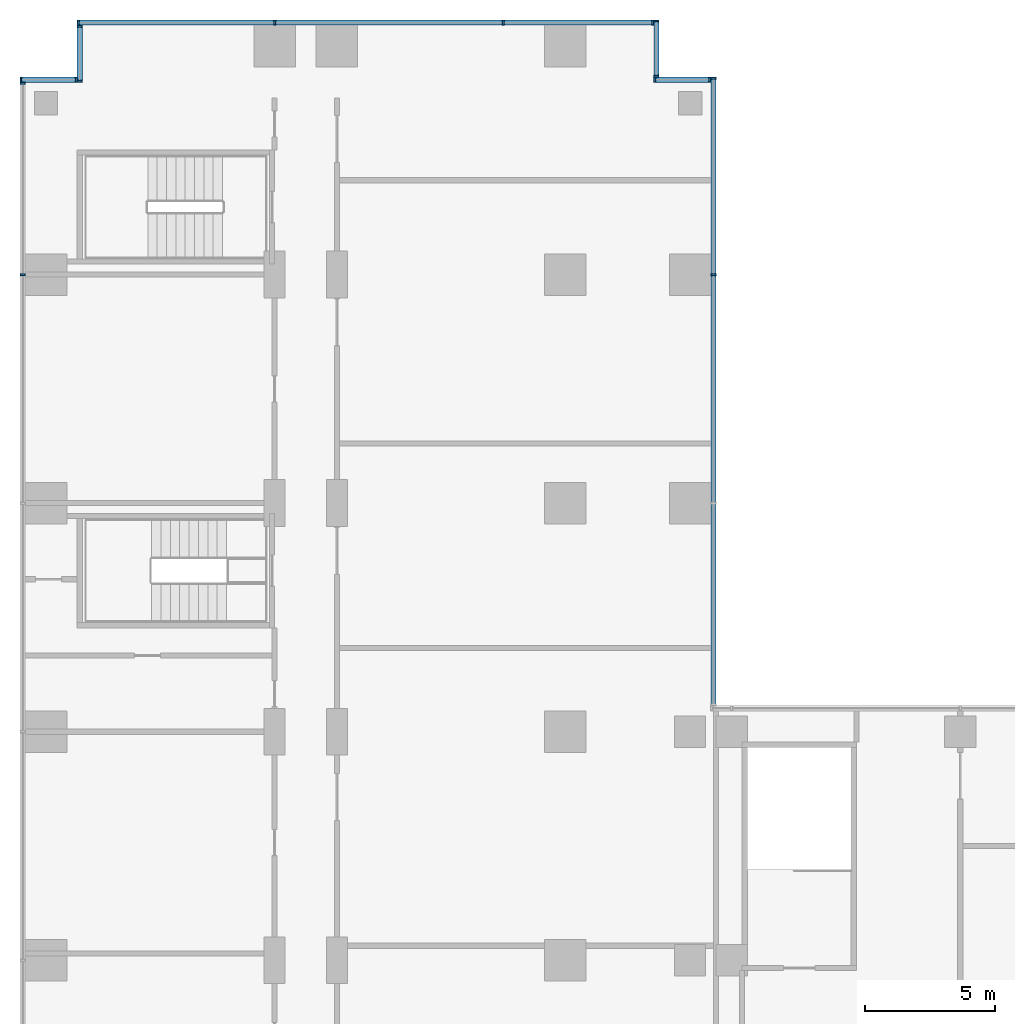
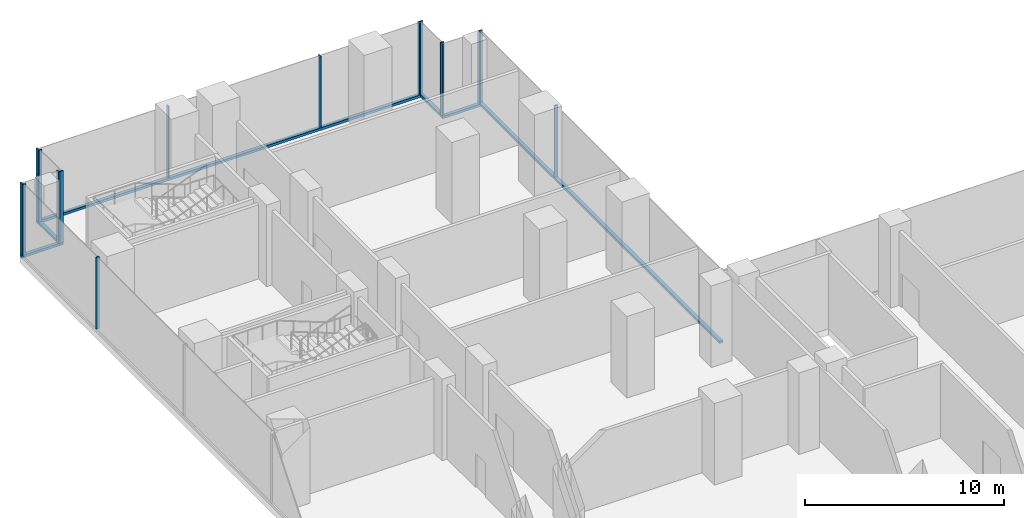
# One storey, part 11 of 27: 22 members, 7 elements without a shape of their own.
"""IFC4 building model written with IfcOpenShell, lengths in metres."""

import ifcopenshell
import ifcopenshell.guid

model = None  # the IFC model being written
_history = None  # IfcOwnerHistory: only IFC2X3 demands one
_inside = {}  # id of a spatial element -> (the spatial element, [elements in it])
_under = {}  # id of a project, library or spatial element -> (it, [spatial elements below it])
_declared = {}  # id of a project -> (the project, [libraries it declares])
_typed = {}  # id of a type object -> (the type object, [elements of that type])
_made_of = {}  # id of a material, layer set ... -> (it, [elements and type objects made of it])


def new_model(schema):
    """Start an empty IFC model of exactly this schema.

    Asked for "IFC4X3", IfcOpenShell would pick the latest addendum, in which some entities
    have other attributes; the version numbers below select the first issue.
    IFC2X3 requires an IfcOwnerHistory on every rooted entity: one is made here for all.
    """
    global model, _history
    if schema == "IFC4X3":
        model = ifcopenshell.file(schema_version=(4, 3, 0, 0))
    else:
        model = ifcopenshell.file(schema=schema)
    _inside.clear()
    _under.clear()
    _declared.clear()
    _typed.clear()
    _made_of.clear()
    _history = None
    if model.schema == "IFC2X3":
        org = make("IfcOrganization", Name="unknown")
        user = make(
            "IfcPersonAndOrganization",
            ThePerson=make("IfcPerson", FamilyName="unknown"),
            TheOrganization=org,
        )
        app = make(
            "IfcApplication",
            ApplicationDeveloper=org,
            Version="unknown",
            ApplicationFullName="unknown",
            ApplicationIdentifier="unknown",
        )
        _history = make(
            "IfcOwnerHistory",
            OwningUser=user,
            OwningApplication=app,
            ChangeAction="ADDED",
            CreationDate=0,
        )
    return model


def make(cls, **values):
    """One entity of the class cls with the attributes given. An attribute that is None is left unset."""
    return model.create_entity(
        cls, **{name: value for name, value in values.items() if value is not None}
    )


def rooted(cls, **values):
    """An entity with a GlobalId (a new one), such as an element, a storey or a relation."""
    return make(cls, GlobalId=ifcopenshell.guid.new(), OwnerHistory=_history, **values)


def si_unit(unit_type, name, prefix=None):
    """IfcSIUnit, for example si_unit("LENGTHUNIT", "METRE", prefix="MILLI")."""
    return make("IfcSIUnit", UnitType=unit_type, Prefix=prefix, Name=name)


def assignment(units):
    """IfcUnitAssignment: the units of a project."""
    return None if units is None else make("IfcUnitAssignment", Units=units)


def point(xyz):
    """IfcCartesianPoint."""
    return None if xyz is None else make("IfcCartesianPoint", Coordinates=xyz)


def direction(xyz):
    """IfcDirection."""
    return None if xyz is None else make("IfcDirection", DirectionRatios=xyz)


def frame(location, z_axis=None, x_axis=None):
    """IfcAxis2Placement3D, a coordinate frame: its origin and axes. An axis left out is left unset."""
    return make(
        "IfcAxis2Placement3D",
        Location=point(location),
        Axis=direction(z_axis),
        RefDirection=direction(x_axis),
    )


def frame_2d(location, x_axis=None):
    """IfcAxis2Placement2D, a coordinate frame in the plane: its origin and x axis."""
    return make(
        "IfcAxis2Placement2D", Location=point(location), RefDirection=direction(x_axis)
    )


def origin():
    """The frame at (0, 0, 0) with its axes left unset."""
    return frame((0.0, 0.0, 0.0))


def origin_2d():
    """The frame at (0, 0) in the plane with its x axis left unset."""
    return frame_2d((0.0, 0.0))


def place(relative_to, where):
    """IfcLocalPlacement: puts the frame where relative to a parent placement (None: the world)."""
    return make(
        "IfcLocalPlacement", PlacementRelTo=relative_to, RelativePlacement=where
    )


def context(
    kind, dimensions, precision=None, world=None, true_north=None, identifier=None
):
    """IfcGeometricRepresentationContext, for example the 3D "Model" context."""
    return make(
        "IfcGeometricRepresentationContext",
        ContextIdentifier=identifier,
        ContextType=kind,
        CoordinateSpaceDimension=dimensions,
        Precision=precision,
        WorldCoordinateSystem=world,
        TrueNorth=true_north,
    )


def subcontext(parent, identifier, kind, view, scale=None):
    """IfcGeometricRepresentationSubContext, for example "Body" below "Model"."""
    return make(
        "IfcGeometricRepresentationSubContext",
        ContextIdentifier=identifier,
        ContextType=kind,
        ParentContext=parent,
        TargetScale=scale,
        TargetView=view,
    )


def project(units=None, contexts=None):
    """IfcProject with its units and contexts."""
    return rooted(
        "IfcProject",
        Name="project",
        RepresentationContexts=contexts,
        UnitsInContext=assignment(units),
    )


def spatial(cls, under=None, at=None, **own):
    """A site, building, storey or space (cls), placed at a placement, below another one or the project."""
    s = rooted(cls, ObjectPlacement=at, **own)
    if under is not None:
        _under.setdefault(under.id(), (under, []))[1].append(s)
    return s


def profile(cls, at=None, kind="AREA", **sizes):
    """A parametric profile (cls). Its sizes go by their IFC names, for example OverallWidth=200.0."""
    return make(cls, ProfileType=kind, Position=at, **sizes)


def rectangle(**sizes):
    """IfcRectangleProfileDef."""
    return profile("IfcRectangleProfileDef", **sizes)


def extrude(swept, where, along, depth):
    """IfcExtrudedAreaSolid: the profile swept, set in the frame where, extruded along a direction by depth."""
    return make(
        "IfcExtrudedAreaSolid",
        SweptArea=swept,
        Position=where,
        ExtrudedDirection=direction(along),
        Depth=depth,
    )


def shape(context_of_items, identifier, shape_type, items):
    """IfcShapeRepresentation: the items that make up one representation, for example the "Body"."""
    return make(
        "IfcShapeRepresentation",
        ContextOfItems=context_of_items,
        RepresentationIdentifier=identifier,
        RepresentationType=shape_type,
        Items=items,
    )


def source(mapping_origin, context_of_items, identifier, shape_type, items):
    """IfcRepresentationMap: a shape defined once, which mapped items show again and again."""
    return make(
        "IfcRepresentationMap",
        MappingOrigin=mapping_origin,
        MappedRepresentation=shape(context_of_items, identifier, shape_type, items),
    )


def transform(
    local_origin,
    x_axis=None,
    y_axis=None,
    z_axis=None,
    scale=None,
    scale2=None,
    scale3=None,
    uniform=True,
):
    """IfcCartesianTransformationOperator3D, or its non-uniform kind. x_axis, y_axis, z_axis: its Axis1, 2, 3."""
    if uniform:
        return make(
            "IfcCartesianTransformationOperator3D",
            Axis1=direction(x_axis),
            Axis2=direction(y_axis),
            LocalOrigin=point(local_origin),
            Scale=scale,
            Axis3=direction(z_axis),
        )
    return make(
        "IfcCartesianTransformationOperator3DnonUniform",
        Axis1=direction(x_axis),
        Axis2=direction(y_axis),
        LocalOrigin=point(local_origin),
        Scale=scale,
        Axis3=direction(z_axis),
        Scale2=scale2,
        Scale3=scale3,
    )


def mapped(mapping_source, mapping_target):
    """IfcMappedItem: shows the shape of a source again, moved by a transform."""
    return make(
        "IfcMappedItem", MappingSource=mapping_source, MappingTarget=mapping_target
    )


def material(Name=None, Category=None):
    """IfcMaterial."""
    return make("IfcMaterial", Name=Name, Category=Category)


def material_profile(
    of_material, cross_section, Name=None, Category=None, Priority=None
):
    """IfcMaterialProfile: a cross section and its material."""
    return make(
        "IfcMaterialProfile",
        Name=Name,
        Material=of_material,
        Profile=cross_section,
        Priority=Priority,
        Category=Category,
    )


def profile_set(profiles, Name=None, composite=None):
    """IfcMaterialProfileSet."""
    return make(
        "IfcMaterialProfileSet",
        Name=Name,
        MaterialProfiles=profiles,
        CompositeProfile=composite,
    )


def made_of(thing, what):
    """Note that an element or type object is made of a material, layer set ...; save() writes the relation."""
    if what is not None:
        _made_of.setdefault(what.id(), (what, []))[1].append(thing)
    return thing


def type_object(cls, material=None, **own):
    """A type object (cls), such as IfcWallType, which elements share."""
    return made_of(rooted(cls, **own), material)


def element(
    cls,
    number,
    at=None,
    inside=None,
    cuts=None,
    type_object=None,
    material=None,
    context=None,
    identifier="Body",
    shape_type=None,
    held_by="IfcProductDefinitionShape",
    body=None,
    shapes=None,
    **own,
):
    """One element of the class cls, such as IfcWall. Its Tag is "e" and its number.

    at: its placement. inside: the storey or other place that contains it. cuts: it is an
    opening in that element (IfcRelVoidsElement). A single representation is given by context,
    identifier, shape_type and body (its items); several are given by shapes. held_by: the class
    of the entity that holds the representations. save() writes the other relations.
    """
    e = rooted(cls, Tag="e%d" % number, ObjectPlacement=at, **own)
    if body is not None:
        shapes = [shape(context, identifier, shape_type, body)]
    if shapes is not None:
        e.Representation = make(held_by, Representations=shapes)
    if inside is not None:
        _inside.setdefault(inside.id(), (inside, []))[1].append(e)
    if cuts is not None:
        rooted(
            "IfcRelVoidsElement", RelatingBuildingElement=cuts, RelatedOpeningElement=e
        )
    if type_object is not None:
        _typed.setdefault(type_object.id(), (type_object, []))[1].append(e)
    return made_of(e, material)


def aggregate(whole, parts):
    """IfcRelAggregates: a whole, such as a stair, and the parts it consists of."""
    return rooted("IfcRelAggregates", RelatingObject=whole, RelatedObjects=parts)


def save(model, path):
    """Write the relations noted so far, then the file.

    IfcRelAggregates (storeys below a building ...), IfcRelContainedInSpatialStructure (elements
    in a storey), IfcRelDefinesByType, IfcRelAssociatesMaterial and IfcRelDeclares: one each for
    every whole, place, type object, material and project.
    """
    for whole, parts in _under.values():
        aggregate(whole, parts)
    for where, things in _inside.values():
        rooted(
            "IfcRelContainedInSpatialStructure",
            RelatedElements=things,
            RelatingStructure=where,
        )
    for kind, things in _typed.values():
        rooted("IfcRelDefinesByType", RelatedObjects=things, RelatingType=kind)
    for what, things in _made_of.values():
        rooted("IfcRelAssociatesMaterial", RelatedObjects=things, RelatingMaterial=what)
    for by, libraries in _declared.values():
        rooted("IfcRelDeclares", RelatingContext=by, RelatedDefinitions=libraries)
    model.write(path)


model = new_model("IFC4")

# Units and contexts
model_context = context("Model", 3, precision=1e-05, world=origin(), true_north=direction((0.0, 1.0)))
body_context = subcontext(model_context, "Body", "Model", "MODEL_VIEW")
ifc_project = project(units=[si_unit("LENGTHUNIT", "METRE"), si_unit("AREAUNIT", "SQUARE_METRE"), si_unit("VOLUMEUNIT", "CUBIC_METRE"), si_unit("PLANEANGLEUNIT", "RADIAN"), si_unit("MASSUNIT", "GRAM", prefix="KILO")], contexts=[model_context])

# Site, building, storey
site_placement = place(None, origin())
site = spatial("IfcSite", under=ifc_project, at=site_placement, CompositionType="ELEMENT")
building_placement = place(site_placement, origin())
building = spatial("IfcBuilding", under=site, at=building_placement, Name="Kemantara Hotel Tower", CompositionType="ELEMENT")
storey_placement = place(building_placement, frame((0.0, 0.0, 29.0)))
storey = spatial("IfcBuildingStorey", under=building, at=storey_placement, Name="L05", CompositionType="ELEMENT", Elevation=29.0)

# Curtain wall, member
ifc_material_1 = material(Name="Laminated tinted insulated glass 44 mm", Category="glass")
curtain_wall_type = type_object("IfcCurtainWallType", Name="PODIUM GLASS CURTAIN WALL", PredefinedType="USERDEFINED", material=ifc_material_1)
curtain_wall_1_placement = place(storey_placement, origin())
curtain_wall_1 = element("IfcCurtainWall", 1, at=curtain_wall_1_placement, inside=storey, type_object=curtain_wall_type, Name="CW1 L05 POD-R10-1", ObjectType="PODIUM GLASS CURTAIN WALL", PredefinedType="USERDEFINED")
ifc_material_2 = material(Name="Aluminium 6063-T6 bronze anodised", Category="aluminium")
ifc_material_profile_1 = material_profile(ifc_material_2, rectangle(XDim=0.199951171875, YDim=0.14990234375, at=origin_2d()), Name="PODIUM GLASS CURTAIN WALL TRANSOM")
ifc_profile_set_1 = profile_set([ifc_material_profile_1], Name="Aluminium 6063-T6 bronze anodised")
member_type_1 = type_object("IfcMemberType", Name="PODIUM GLASS CURTAIN WALL TRANSOM", PredefinedType="USERDEFINED", material=ifc_profile_set_1)
member_1_placement = place(storey_placement, frame((26.699951171875, 54.800048828125, 0.074951171875), z_axis=(0.0, 1.0, 0.0), x_axis=(-1.0, 0.0, 0.0)))
member_1 = element("IfcMember", 2, at=member_1_placement, type_object=member_type_1, Name="CW1 sill transom POD-R10-1", ObjectType="TRANSOM", PredefinedType="USERDEFINED", context=body_context, shape_type="SweptSolid", body=[
    extrude(rectangle(XDim=0.199951171875, YDim=0.14990234375, at=origin_2d()), origin(), (0.0, 0.0, 1.0), 24.199951171875),
])

curtain_wall_2_placement = place(storey_placement, origin())
curtain_wall_2 = element("IfcCurtainWall", 3, at=curtain_wall_2_placement, inside=storey, type_object=curtain_wall_type, Name="CW1 L05 POD-R13-1", ObjectType="PODIUM GLASS CURTAIN WALL", PredefinedType="USERDEFINED")
member_2_placement = place(storey_placement, frame((24.39990234375, 81.10009765625, 0.074951171875), z_axis=(-1.0, 0.0, 0.0), x_axis=(0.0, -1.0, 0.0)))
member_2 = element("IfcMember", 4, at=member_2_placement, type_object=member_type_1, Name="CW1 sill transom POD-R13-1", ObjectType="TRANSOM", PredefinedType="USERDEFINED", context=body_context, shape_type="SweptSolid", body=[
    extrude(rectangle(XDim=0.199951171875, YDim=0.14990234375, at=origin_2d()), origin(), (0.0, 0.0, 1.0), 22.199951171875),
])

curtain_wall_3_placement = place(storey_placement, origin())
curtain_wall_3 = element("IfcCurtainWall", 5, at=curtain_wall_3_placement, inside=storey, type_object=curtain_wall_type, Name="CW1 L05 POD-R11-1", ObjectType="PODIUM GLASS CURTAIN WALL", PredefinedType="USERDEFINED")
member_3_placement = place(storey_placement, frame((26.60009765625, 78.89990234375, 0.074951171875), z_axis=(-1.0, 0.0, 0.0), x_axis=(0.0, -1.0, 0.0)))
member_3 = element("IfcMember", 6, at=member_3_placement, type_object=member_type_1, Name="CW1 sill transom POD-R11-1", ObjectType="TRANSOM", PredefinedType="USERDEFINED", context=body_context, shape_type="SweptSolid", body=[
    extrude(rectangle(XDim=0.199951171875, YDim=0.14990234375, at=origin_2d()), origin(), (0.0, 0.0, 1.0), 2.2001953125),
])

curtain_wall_4_placement = place(storey_placement, origin())
curtain_wall_4 = element("IfcCurtainWall", 7, at=curtain_wall_4_placement, inside=storey, type_object=curtain_wall_type, Name="CW1 L05 POD-R12-1", ObjectType="PODIUM GLASS CURTAIN WALL", PredefinedType="USERDEFINED")
member_4_placement = place(storey_placement, frame((24.5, 79.0, 0.074951171875), z_axis=(0.0, 1.0, 0.0), x_axis=(-1.0, 0.0, 0.0)))
member_4 = element("IfcMember", 8, at=member_4_placement, type_object=member_type_1, Name="CW1 sill transom POD-R12-1", ObjectType="TRANSOM", PredefinedType="USERDEFINED", context=body_context, shape_type="SweptSolid", body=[
    extrude(rectangle(XDim=0.199951171875, YDim=0.14990234375, at=origin_2d()), origin(), (0.0, 0.0, 1.0), 2.199951171875),
])

curtain_wall_5_placement = place(storey_placement, origin())
curtain_wall_5 = element("IfcCurtainWall", 9, at=curtain_wall_5_placement, inside=storey, type_object=curtain_wall_type, Name="CW1 L05 POD-R14-1", ObjectType="PODIUM GLASS CURTAIN WALL", PredefinedType="USERDEFINED")
member_5_placement = place(storey_placement, frame((2.300048828125, 81.0, 0.074951171875), z_axis=(0.0, -1.0, 0.0), x_axis=(1.0, 0.0, 0.0)))
member_5 = element("IfcMember", 10, at=member_5_placement, type_object=member_type_1, Name="CW1 sill transom POD-R14-1", ObjectType="TRANSOM", PredefinedType="USERDEFINED", context=body_context, shape_type="SweptSolid", body=[
    extrude(rectangle(XDim=0.199951171875, YDim=0.14990234375, at=origin_2d()), origin(), (0.0, 0.0, 1.0), 2.199951171875),
])

curtain_wall_6_placement = place(storey_placement, origin())
curtain_wall_6 = element("IfcCurtainWall", 11, at=curtain_wall_6_placement, inside=storey, type_object=curtain_wall_type, Name="CW1 L05 POD-R15-1", ObjectType="PODIUM GLASS CURTAIN WALL", PredefinedType="USERDEFINED")
member_6_placement = place(storey_placement, frame((2.199951171875, 78.89990234375, 0.074951171875), z_axis=(-1.0, 0.0, 0.0), x_axis=(0.0, -1.0, 0.0)))
member_6 = element("IfcMember", 12, at=member_6_placement, type_object=member_type_1, Name="CW1 sill transom POD-R15-1", ObjectType="TRANSOM", PredefinedType="USERDEFINED", context=body_context, shape_type="SweptSolid", body=[
    extrude(rectangle(XDim=0.199951171875, YDim=0.14990234375, at=origin_2d()), origin(), (0.0, 0.0, 1.0), 2.199951171875),
])

# Member
ifc_material_profile_2 = material_profile(ifc_material_2, rectangle(XDim=0.199951171875, YDim=0.074951171875, at=origin_2d()), Name="PODIUM GLASS CURTAIN WALL MULLION")
ifc_profile_set_2 = profile_set([ifc_material_profile_2], Name="Aluminium 6063-T6 bronze anodised")
member_type_2 = type_object("IfcMemberType", Name="PODIUM GLASS CURTAIN WALL MULLION", PredefinedType="MULLION", material=ifc_profile_set_2)
shared_shape = source(origin(), body_context, "Body", "SweptSolid", [
    extrude(rectangle(XDim=0.199951171875, YDim=0.074951171875, at=origin_2d()), origin(), (0.0, 0.0, 1.0), 4.400146484375),
])
member_7_placement = place(storey_placement, frame((26.699951171875, 71.39990234375, 0.14990234375), z_axis=(0.0, 0.0, 1.0), x_axis=(-1.0, 0.0, 0.0)))
member_7 = element("IfcMember", 13, at=member_7_placement, type_object=member_type_2, Name="CW1 mullion POD-R10-1.3", PredefinedType="MULLION", context=body_context, shape_type="MappedRepresentation", body=[
    mapped(shared_shape, transform((0.0, 0.0, 0.0))),
])

member_8_placement = place(storey_placement, frame((26.699951171875, 78.96240234375, 0.14990234375), z_axis=(0.0, 0.0, 1.0), x_axis=(-1.0, 0.0, 0.0)))
member_8 = element("IfcMember", 14, at=member_8_placement, type_object=member_type_2, Name="CW1 mullion POD-R10-1.4", PredefinedType="MULLION", context=body_context, shape_type="MappedRepresentation", body=[
    mapped(shared_shape, transform((0.0, 0.0, 0.0))),
])

aggregate(curtain_wall_1, [member_1, member_7, member_8])

member_9_placement = place(storey_placement, frame((24.362548828125, 81.10009765625, 0.14990234375), z_axis=(0.0, 0.0, 1.0), x_axis=(0.0, -1.0, 0.0)))
member_9 = element("IfcMember", 15, at=member_9_placement, type_object=member_type_2, Name="CW1 mullion POD-R13-1.1", PredefinedType="MULLION", context=body_context, shape_type="MappedRepresentation", body=[
    mapped(shared_shape, transform((0.0, 0.0, 0.0))),
])

member_10_placement = place(storey_placement, frame((18.60009765625, 81.10009765625, 0.14990234375), z_axis=(0.0, 0.0, 1.0), x_axis=(0.0, -1.0, 0.0)))
member_10 = element("IfcMember", 16, at=member_10_placement, type_object=member_type_2, Name="CW1 mullion POD-R13-1.2", PredefinedType="MULLION", context=body_context, shape_type="MappedRepresentation", body=[
    mapped(shared_shape, transform((0.0, 0.0, 0.0))),
])

member_11_placement = place(storey_placement, frame((9.800048828125, 81.10009765625, 0.14990234375), z_axis=(0.0, 0.0, 1.0), x_axis=(0.0, -1.0, 0.0)))
member_11 = element("IfcMember", 17, at=member_11_placement, type_object=member_type_2, Name="CW1 mullion POD-R13-1.3", PredefinedType="MULLION", context=body_context, shape_type="MappedRepresentation", body=[
    mapped(shared_shape, transform((0.0, 0.0, 0.0))),
])

member_12_placement = place(storey_placement, frame((2.237548828125, 81.10009765625, 0.14990234375), z_axis=(0.0, 0.0, 1.0), x_axis=(0.0, -1.0, 0.0)))
member_12 = element("IfcMember", 18, at=member_12_placement, type_object=member_type_2, Name="CW1 mullion POD-R13-1.4", PredefinedType="MULLION", context=body_context, shape_type="MappedRepresentation", body=[
    mapped(shared_shape, transform((0.0, 0.0, 0.0))),
])

aggregate(curtain_wall_2, [member_2, member_9, member_10, member_11, member_12])

# Curtain wall, members
curtain_wall_7_placement = place(storey_placement, origin())
curtain_wall_7 = element("IfcCurtainWall", 19, at=curtain_wall_7_placement, inside=storey, type_object=curtain_wall_type, Name="CW1 L05 POD-R16-1", ObjectType="PODIUM GLASS CURTAIN WALL", PredefinedType="USERDEFINED")
member_13_placement = place(storey_placement, frame((0.10009765625, 78.762451171875, 0.14990234375), z_axis=(0.0, 0.0, 1.0), x_axis=(1.0, 0.0, 0.0)))
member_13 = element("IfcMember", 20, at=member_13_placement, type_object=member_type_2, Name="CW1 mullion POD-R16-1.1", PredefinedType="MULLION", context=body_context, shape_type="MappedRepresentation", body=[
    mapped(shared_shape, transform((0.0, 0.0, 0.0))),
])
member_14_placement = place(storey_placement, frame((0.10009765625, 71.39990234375, 0.14990234375), z_axis=(0.0, 0.0, 1.0), x_axis=(1.0, 0.0, 0.0)))
member_14 = element("IfcMember", 21, at=member_14_placement, type_object=member_type_2, Name="CW1 mullion POD-R16-1.2", PredefinedType="MULLION", context=body_context, shape_type="MappedRepresentation", body=[
    mapped(shared_shape, transform((0.0, 0.0, 0.0))),
])
aggregate(curtain_wall_7, [member_13, member_14])

# Member
member_15_placement = place(storey_placement, frame((26.5625, 78.89990234375, 0.14990234375), z_axis=(0.0, 0.0, 1.0), x_axis=(0.0, -1.0, 0.0)))
member_15 = element("IfcMember", 22, at=member_15_placement, type_object=member_type_2, Name="CW1 mullion POD-R11-1.1", PredefinedType="MULLION", context=body_context, shape_type="MappedRepresentation", body=[
    mapped(shared_shape, transform((0.0, 0.0, 0.0))),
])

member_16_placement = place(storey_placement, frame((24.4375, 78.89990234375, 0.14990234375), z_axis=(0.0, 0.0, 1.0), x_axis=(0.0, -1.0, 0.0)))
member_16 = element("IfcMember", 23, at=member_16_placement, type_object=member_type_2, Name="CW1 mullion POD-R11-1.2", PredefinedType="MULLION", context=body_context, shape_type="MappedRepresentation", body=[
    mapped(shared_shape, transform((0.0, 0.0, 0.0))),
])

aggregate(curtain_wall_3, [member_3, member_15, member_16])

member_17_placement = place(storey_placement, frame((24.5, 79.03759765625, 0.14990234375), z_axis=(0.0, 0.0, 1.0), x_axis=(-1.0, 0.0, 0.0)))
member_17 = element("IfcMember", 24, at=member_17_placement, type_object=member_type_2, Name="CW1 mullion POD-R12-1.1", PredefinedType="MULLION", context=body_context, shape_type="MappedRepresentation", body=[
    mapped(shared_shape, transform((0.0, 0.0, 0.0))),
])

member_18_placement = place(storey_placement, frame((24.5, 81.16259765625, 0.14990234375), z_axis=(0.0, 0.0, 1.0), x_axis=(-1.0, 0.0, 0.0)))
member_18 = element("IfcMember", 25, at=member_18_placement, type_object=member_type_2, Name="CW1 mullion POD-R12-1.2", PredefinedType="MULLION", context=body_context, shape_type="MappedRepresentation", body=[
    mapped(shared_shape, transform((0.0, 0.0, 0.0))),
])

aggregate(curtain_wall_4, [member_4, member_17, member_18])

member_19_placement = place(storey_placement, frame((2.300048828125, 80.96240234375, 0.14990234375), z_axis=(0.0, 0.0, 1.0), x_axis=(1.0, 0.0, 0.0)))
member_19 = element("IfcMember", 26, at=member_19_placement, type_object=member_type_2, Name="CW1 mullion POD-R14-1.1", PredefinedType="MULLION", context=body_context, shape_type="MappedRepresentation", body=[
    mapped(shared_shape, transform((0.0, 0.0, 0.0))),
])

member_20_placement = place(storey_placement, frame((2.300048828125, 78.83740234375, 0.14990234375), z_axis=(0.0, 0.0, 1.0), x_axis=(1.0, 0.0, 0.0)))
member_20 = element("IfcMember", 27, at=member_20_placement, type_object=member_type_2, Name="CW1 mullion POD-R14-1.2", PredefinedType="MULLION", context=body_context, shape_type="MappedRepresentation", body=[
    mapped(shared_shape, transform((0.0, 0.0, 0.0))),
])

aggregate(curtain_wall_5, [member_5, member_19, member_20])

member_21_placement = place(storey_placement, frame((2.16259765625, 78.89990234375, 0.14990234375), z_axis=(0.0, 0.0, 1.0), x_axis=(0.0, -1.0, 0.0)))
member_21 = element("IfcMember", 28, at=member_21_placement, type_object=member_type_2, Name="CW1 mullion POD-R15-1.1", PredefinedType="MULLION", context=body_context, shape_type="MappedRepresentation", body=[
    mapped(shared_shape, transform((0.0, 0.0, 0.0))),
])

member_22_placement = place(storey_placement, frame((0.03759765625, 78.89990234375, 0.14990234375), z_axis=(0.0, 0.0, 1.0), x_axis=(0.0, -1.0, 0.0)))
member_22 = element("IfcMember", 29, at=member_22_placement, type_object=member_type_2, Name="CW1 mullion POD-R15-1.2", PredefinedType="MULLION", context=body_context, shape_type="MappedRepresentation", body=[
    mapped(shared_shape, transform((0.0, 0.0, 0.0))),
])

aggregate(curtain_wall_6, [member_6, member_21, member_22])

save(model, "model.ifc")
